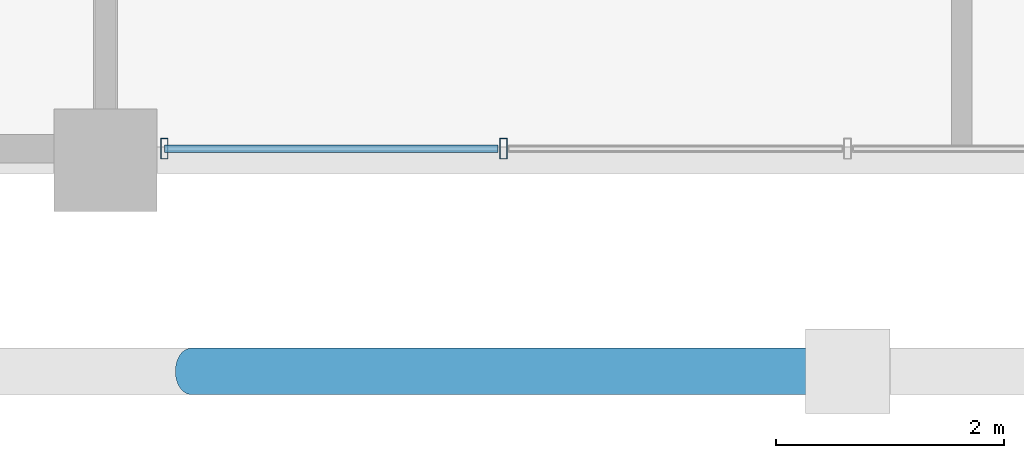
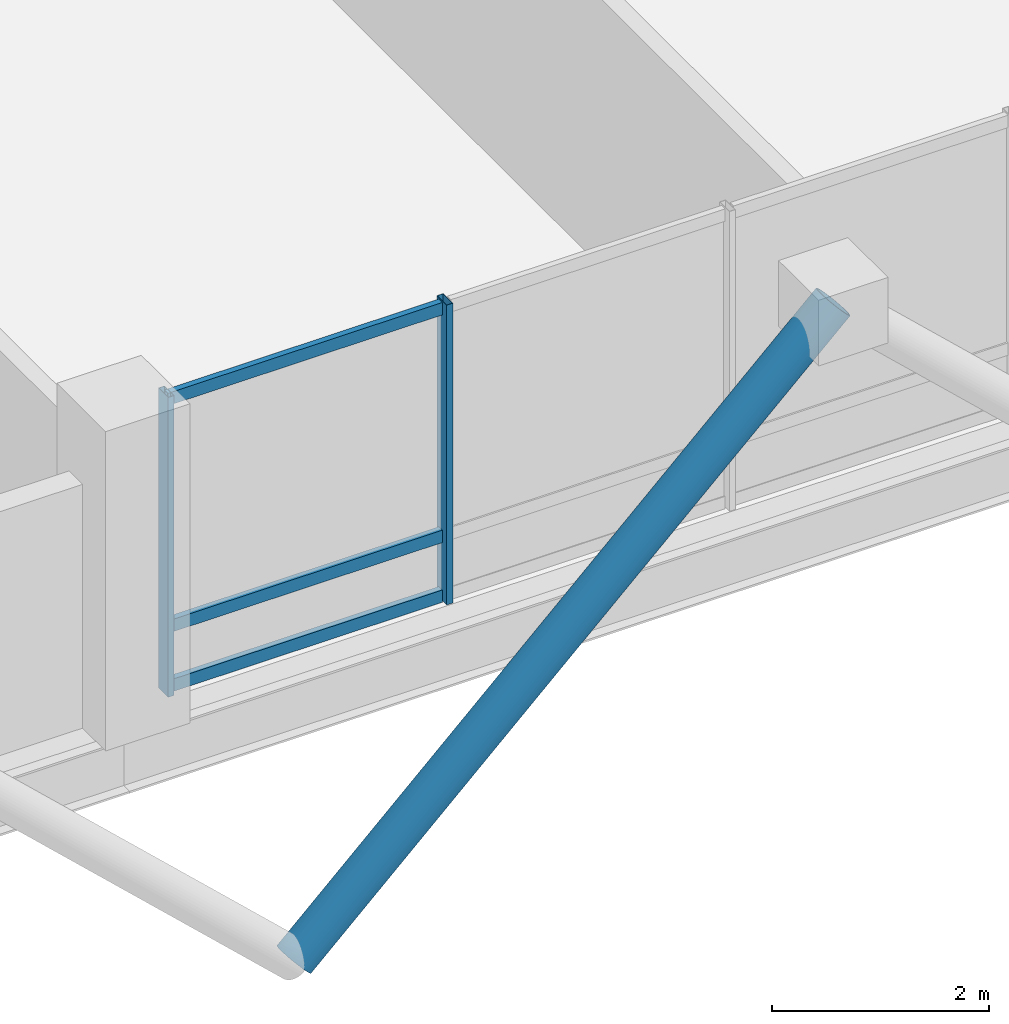
# One storey, part 2 of 22: 6 members, 1 element without a shape of its own.
"""IFC4 building model written with IfcOpenShell, lengths in metres."""

from ifc_helpers import new_model, si_unit, direction, frame, origin, origin_2d, place, context, subcontext, project, spatial, hollow_rectangle, hollow_circle, extrude, material, layer, layer_set, material_profile, profile_set, type_object, element, aggregate, save


model = new_model("IFC4")

# Units and contexts
model_context = context("Model", 3, precision=1e-05, world=origin(), true_north=direction((0.0, 1.0)))
body_context = subcontext(model_context, "Body", "Model", "MODEL_VIEW")
ifc_project = project(units=[si_unit("LENGTHUNIT", "METRE"), si_unit("AREAUNIT", "SQUARE_METRE"), si_unit("VOLUMEUNIT", "CUBIC_METRE"), si_unit("PLANEANGLEUNIT", "RADIAN"), si_unit("MASSUNIT", "GRAM", prefix="KILO")], contexts=[model_context])

# Site, building, storey
site_placement = place(None, origin())
site = spatial("IfcSite", under=ifc_project, at=site_placement, CompositionType="ELEMENT")
building_placement = place(site_placement, origin())
building = spatial("IfcBuilding", under=site, at=building_placement, Name="Barlavira Tower and Art Museum", CompositionType="ELEMENT")
storey_placement = place(building_placement, frame((0.0, 0.0, 258.300048828125)))
storey = spatial("IfcBuildingStorey", under=building, at=storey_placement, Name="L67", CompositionType="ELEMENT", Elevation=258.300048828125)

# Curtain wall, members
ifc_material_1 = material(Name="Low-iron coastal laminated glass", Category="glass")
ifc_layer = layer(ifc_material_1, 0.2099609375, Name="Low-iron coastal laminated glass")
ifc_layer_set = layer_set([ifc_layer], Name="Low-iron coastal laminated glass")
curtain_wall_type = type_object("IfcCurtainWallType", Name="Pale-Metal Unitised Curtain Wall Zone 4", PredefinedType="NOTDEFINED", material=ifc_layer_set)
curtain_wall_placement = place(storey_placement, origin())
curtain_wall = element("IfcCurtainWall", 1, at=curtain_wall_placement, inside=storey, type_object=curtain_wall_type, Name="L67 Curtain Wall CW4-L67-S-B2", PredefinedType="NOTDEFINED")
ifc_material_2 = material(Name="Pale anodised aluminium", Category="aluminium")
ifc_material_profile_1 = material_profile(ifc_material_2, hollow_rectangle(XDim=0.06494140625, YDim=0.179931640625, WallThickness=0.00390625, at=origin_2d()), Name="ALU-MULL 65x180x4")
ifc_profile_set_1 = profile_set([ifc_material_profile_1], Name="Pale anodised aluminium")
member_type_1 = type_object("IfcMemberType", Name="Curtain Wall Pale-Metal Mullion 65x180", PredefinedType="MULLION", material=ifc_profile_set_1)
member_1_placement = place(storey_placement, frame((-5.985107421875, -19.89990234375, 0.0), z_axis=(0.0, 0.0, 1.0), x_axis=(1.0, 0.0, 0.0)))
member_1 = element("IfcMember", 2, at=member_1_placement, type_object=member_type_1, Name="CW4-L67-S-B2 Mullion 0", PredefinedType="MULLION", context=body_context, shape_type="SweptSolid", body=[
    extrude(hollow_rectangle(XDim=0.06494140625, YDim=0.179931640625, WallThickness=0.00390625, at=origin_2d()), origin(), (0.0, 0.0, 1.0), 3.3798828125),
])
member_2_placement = place(storey_placement, frame((-3.014892578125, -19.89990234375, 0.0), z_axis=(0.0, 0.0, 1.0), x_axis=(1.0, 0.0, 0.0)))
member_2 = element("IfcMember", 3, at=member_2_placement, type_object=member_type_1, Name="CW4-L67-S-B2 Mullion 1", PredefinedType="MULLION", context=body_context, shape_type="SweptSolid", body=[
    extrude(hollow_rectangle(XDim=0.06494140625, YDim=0.179931640625, WallThickness=0.00390625, at=origin_2d()), origin(), (0.0, 0.0, 1.0), 3.3798828125),
])
ifc_material_profile_2 = material_profile(ifc_material_2, hollow_rectangle(XDim=0.06494140625, YDim=0.139892578125, WallThickness=0.00390625, at=origin_2d()), Name="ALU-TRAN 65x140x4")
ifc_profile_set_2 = profile_set([ifc_material_profile_2], Name="Pale anodised aluminium")
member_type_2 = type_object("IfcMemberType", Name="Curtain Wall Pale-Metal Transom 65x140", PredefinedType="USERDEFINED", material=ifc_profile_set_2)
member_3_placement = place(storey_placement, frame((-5.985107421875, -19.89990234375, 0.070068359375), z_axis=(1.0, 0.0, 0.0), x_axis=(0.0, 1.0, 0.0)))
member_3 = element("IfcMember", 4, at=member_3_placement, type_object=member_type_2, Name="CW4-L67-S-B2 Transom 0.1", ObjectType="TRANSOM", PredefinedType="USERDEFINED", context=body_context, shape_type="SweptSolid", body=[
    extrude(hollow_rectangle(XDim=0.06494140625, YDim=0.139892578125, WallThickness=0.00390625, at=origin_2d()), origin(), (0.0, 0.0, 1.0), 2.925048828125),
])
member_4_placement = place(storey_placement, frame((-5.985107421875, -19.89990234375, 0.743896484375), z_axis=(1.0, 0.0, 0.0), x_axis=(0.0, 1.0, 0.0)))
member_4 = element("IfcMember", 5, at=member_4_placement, type_object=member_type_2, Name="CW4-L67-S-B2 Transom 0.2", ObjectType="TRANSOM", PredefinedType="USERDEFINED", context=body_context, shape_type="SweptSolid", body=[
    extrude(hollow_rectangle(XDim=0.06494140625, YDim=0.139892578125, WallThickness=0.00390625, at=origin_2d()), origin(), (0.0, 0.0, 1.0), 2.925048828125),
])
member_5_placement = place(storey_placement, frame((-5.985107421875, -19.89990234375, 3.31005859375), z_axis=(1.0, 0.0, 0.0), x_axis=(0.0, 1.0, 0.0)))
member_5 = element("IfcMember", 6, at=member_5_placement, type_object=member_type_2, Name="CW4-L67-S-B2 Transom 0.3", ObjectType="TRANSOM", PredefinedType="USERDEFINED", context=body_context, shape_type="SweptSolid", body=[
    extrude(hollow_rectangle(XDim=0.06494140625, YDim=0.139892578125, WallThickness=0.00390625, at=origin_2d()), origin(), (0.0, 0.0, 1.0), 2.925048828125),
])
aggregate(curtain_wall, [member_1, member_2, member_3, member_4, member_5])

# Member
ifc_material_3 = material(Name="Steel S355", Category="steel")
ifc_material_profile_3 = material_profile(ifc_material_3, hollow_circle(Radius=0.203125, WallThickness=0.01611328125, at=origin_2d()), Name="CHS 406.4x16.0")
ifc_profile_set_3 = profile_set([ifc_material_profile_3], Name="Steel S355")
member_type_3 = type_object("IfcMemberType", Name="Pale-Metal Exoskeleton Diagrid Tube CHS 406x16 Steel S355", PredefinedType="BRACE", material=ifc_profile_set_3)
member_6_placement = place(storey_placement, frame((-5.75, -21.85009765625, -1.920166015625), z_axis=(0.728934650808, 0.0, 0.684583285548), x_axis=(0.0, 1.0, 0.0)))
element("IfcMember", 7, at=member_6_placement, inside=storey, type_object=member_type_3, Name="L67 Exoskeleton Diagrid Tube S", PredefinedType="BRACE", context=body_context, shape_type="SweptSolid", body=[
    extrude(hollow_circle(Radius=0.203125, WallThickness=0.01611328125, at=origin_2d()), origin(), (0.0, 0.0, 1.0), 7.88818359375),
])

save(model, "model.ifc")
